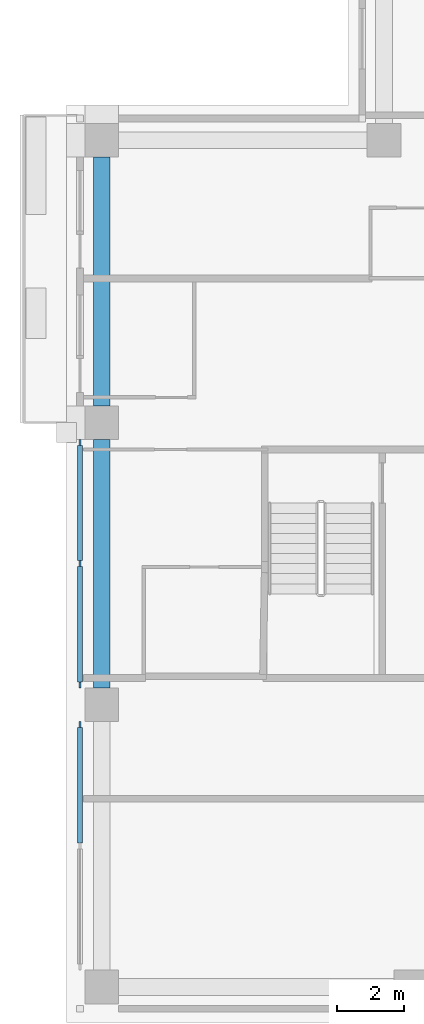
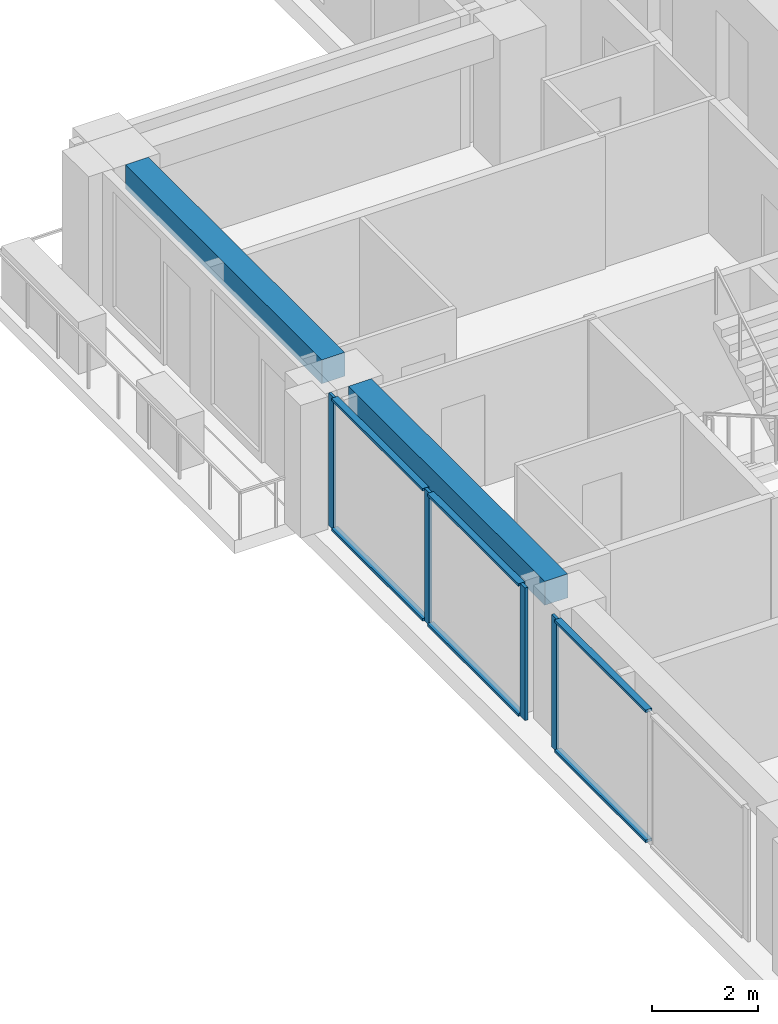
# One storey, part 4 of 16: 10 members, 2 beams, 2 elements without a shape of their own.
"""IFC4 building model written with IfcOpenShell, lengths in metres."""

from ifc_helpers import new_model, si_unit, direction, frame, origin, origin_2d, place, context, subcontext, project, spatial, rectangle, extrude, material, material_profile, profile_set, type_object, element, aggregate, save


model = new_model("IFC4")

# Units and contexts
model_context = context("Model", 3, precision=1e-05, world=origin(), true_north=direction((0.0, 1.0)))
body_context = subcontext(model_context, "Body", "Model", "MODEL_VIEW")
ifc_project = project(units=[si_unit("LENGTHUNIT", "METRE"), si_unit("AREAUNIT", "SQUARE_METRE"), si_unit("VOLUMEUNIT", "CUBIC_METRE"), si_unit("PLANEANGLEUNIT", "RADIAN"), si_unit("MASSUNIT", "GRAM", prefix="KILO")], contexts=[model_context])

# Site, building, storey
site_placement = place(None, origin())
site = spatial("IfcSite", under=ifc_project, at=site_placement, CompositionType="ELEMENT")
building_placement = place(site_placement, origin())
building = spatial("IfcBuilding", under=site, at=building_placement, Name="Vermilion Ogive Tower", CompositionType="ELEMENT")
storey_placement = place(building_placement, frame((0.0, 0.0, 182.449951171875)))
storey = spatial("IfcBuildingStorey", under=building, at=storey_placement, Name="L47", CompositionType="ELEMENT", Elevation=182.449951171875)

# Curtain wall, members
ifc_material_1 = material(Name="Low-iron laminated glazing in aluminium frame", Category="aluminium")
curtain_wall_type = type_object("IfcCurtainWallType", Name="Curtain wall CW7", PredefinedType="NOTDEFINED", material=ifc_material_1)
curtain_wall_1_placement = place(storey_placement, origin())
curtain_wall_1 = element("IfcCurtainWall", 1, at=curtain_wall_1_placement, inside=storey, type_object=curtain_wall_type, Name="Glazed skin W2", PredefinedType="NOTDEFINED")
ifc_material_2 = material(Name="Aluminium mullion", Category="aluminium")
ifc_material_profile_1 = material_profile(ifc_material_2, rectangle(XDim=0.06005859375, YDim=0.179931640625, at=origin_2d()), Name="AL 60x180")
ifc_profile_set_1 = profile_set([ifc_material_profile_1], Name="Aluminium mullion")
member_type_1 = type_object("IfcMemberType", Name="CW7 mullion 60x180", PredefinedType="MULLION", material=ifc_profile_set_1)
member_1_placement = place(storey_placement, frame((-25.85009765625, 3.610107421875, 0.0), z_axis=(0.0, 0.0, 1.0), x_axis=(1.0, 0.0, 0.0)))
member_1 = element("IfcMember", 2, at=member_1_placement, type_object=member_type_1, Name="CW7-W2 mullion 1", PredefinedType="MULLION", context=body_context, shape_type="SweptSolid", body=[
    extrude(rectangle(XDim=0.06005859375, YDim=0.179931640625, at=origin_2d()), origin(), (0.0, 0.0, 1.0), 3.050048828125),
])
member_2_placement = place(storey_placement, frame((-25.85009765625, 0.0, 0.0), z_axis=(0.0, 0.0, 1.0), x_axis=(1.0, 0.0, 0.0)))
member_2 = element("IfcMember", 3, at=member_2_placement, type_object=member_type_1, Name="CW7-W2 mullion 2", PredefinedType="MULLION", context=body_context, shape_type="SweptSolid", body=[
    extrude(rectangle(XDim=0.06005859375, YDim=0.179931640625, at=origin_2d()), origin(), (0.0, 0.0, 1.0), 3.050048828125),
])
member_3_placement = place(storey_placement, frame((-25.85009765625, -3.610107421875, 0.0), z_axis=(0.0, 0.0, 1.0), x_axis=(1.0, 0.0, 0.0)))
member_3 = element("IfcMember", 4, at=member_3_placement, type_object=member_type_1, Name="CW7-W2 mullion 3", PredefinedType="MULLION", context=body_context, shape_type="SweptSolid", body=[
    extrude(rectangle(XDim=0.06005859375, YDim=0.179931640625, at=origin_2d()), origin(), (0.0, 0.0, 1.0), 3.050048828125),
])

# Curtain wall, member
curtain_wall_2_placement = place(storey_placement, origin())
curtain_wall_2 = element("IfcCurtainWall", 5, at=curtain_wall_2_placement, inside=storey, type_object=curtain_wall_type, Name="Glazed skin W3", PredefinedType="NOTDEFINED")
member_4_placement = place(storey_placement, frame((-25.85009765625, -4.7900390625, 0.0), z_axis=(0.0, 0.0, 1.0), x_axis=(1.0, 0.0, 0.0)))
member_4 = element("IfcMember", 6, at=member_4_placement, type_object=member_type_1, Name="CW7-W3 mullion 1", PredefinedType="MULLION", context=body_context, shape_type="SweptSolid", body=[
    extrude(rectangle(XDim=0.06005859375, YDim=0.179931640625, at=origin_2d()), origin(), (0.0, 0.0, 1.0), 3.050048828125),
])

# Member
ifc_material_3 = material(Name="Aluminium transom", Category="aluminium")
ifc_material_profile_2 = material_profile(ifc_material_3, rectangle(XDim=0.139892578125, YDim=0.06005859375, at=origin_2d()), Name="AL 60x140")
ifc_profile_set_2 = profile_set([ifc_material_profile_2], Name="Aluminium transom")
member_type_2 = type_object("IfcMemberType", Name="CW7 transom 60x140", PredefinedType="USERDEFINED", material=ifc_profile_set_2)
member_5_placement = place(storey_placement, frame((-25.85009765625, 3.52001953125, 0.030029296875), z_axis=(0.0, -1.0, 0.0), x_axis=(1.0, 0.0, 0.0)))
member_5 = element("IfcMember", 7, at=member_5_placement, type_object=member_type_2, Name="CW7-W2 transom 1.1", ObjectType="TRANSOM", PredefinedType="USERDEFINED", context=body_context, shape_type="SweptSolid", body=[
    extrude(rectangle(XDim=0.139892578125, YDim=0.06005859375, at=origin_2d()), origin(), (0.0, 0.0, 1.0), 3.429931640625),
])

member_6_placement = place(storey_placement, frame((-25.85009765625, 3.52001953125, 3.02001953125), z_axis=(0.0, -1.0, 0.0), x_axis=(1.0, 0.0, 0.0)))
member_6 = element("IfcMember", 8, at=member_6_placement, type_object=member_type_2, Name="CW7-W2 transom 1.2", ObjectType="TRANSOM", PredefinedType="USERDEFINED", context=body_context, shape_type="SweptSolid", body=[
    extrude(rectangle(XDim=0.139892578125, YDim=0.06005859375, at=origin_2d()), origin(), (0.0, 0.0, 1.0), 3.429931640625),
])

member_7_placement = place(storey_placement, frame((-25.85009765625, -0.090087890625, 0.030029296875), z_axis=(0.0, -1.0, 0.0), x_axis=(1.0, 0.0, 0.0)))
member_7 = element("IfcMember", 9, at=member_7_placement, type_object=member_type_2, Name="CW7-W2 transom 2.1", ObjectType="TRANSOM", PredefinedType="USERDEFINED", context=body_context, shape_type="SweptSolid", body=[
    extrude(rectangle(XDim=0.139892578125, YDim=0.06005859375, at=origin_2d()), origin(), (0.0, 0.0, 1.0), 3.429931640625),
])

member_8_placement = place(storey_placement, frame((-25.85009765625, -0.090087890625, 3.02001953125), z_axis=(0.0, -1.0, 0.0), x_axis=(1.0, 0.0, 0.0)))
member_8 = element("IfcMember", 10, at=member_8_placement, type_object=member_type_2, Name="CW7-W2 transom 2.2", ObjectType="TRANSOM", PredefinedType="USERDEFINED", context=body_context, shape_type="SweptSolid", body=[
    extrude(rectangle(XDim=0.139892578125, YDim=0.06005859375, at=origin_2d()), origin(), (0.0, 0.0, 1.0), 3.429931640625),
])

aggregate(curtain_wall_1, [member_1, member_2, member_3, member_5, member_6, member_7, member_8])

member_9_placement = place(storey_placement, frame((-25.85009765625, -4.8798828125, 0.030029296875), z_axis=(0.0, -1.0, 0.0), x_axis=(1.0, 0.0, 0.0)))
member_9 = element("IfcMember", 11, at=member_9_placement, type_object=member_type_2, Name="CW7-W3 transom 1.1", ObjectType="TRANSOM", PredefinedType="USERDEFINED", context=body_context, shape_type="SweptSolid", body=[
    extrude(rectangle(XDim=0.139892578125, YDim=0.06005859375, at=origin_2d()), origin(), (0.0, 0.0, 1.0), 3.43017578125),
])

member_10_placement = place(storey_placement, frame((-25.85009765625, -4.8798828125, 3.02001953125), z_axis=(0.0, -1.0, 0.0), x_axis=(1.0, 0.0, 0.0)))
member_10 = element("IfcMember", 12, at=member_10_placement, type_object=member_type_2, Name="CW7-W3 transom 1.2", ObjectType="TRANSOM", PredefinedType="USERDEFINED", context=body_context, shape_type="SweptSolid", body=[
    extrude(rectangle(XDim=0.139892578125, YDim=0.06005859375, at=origin_2d()), origin(), (0.0, 0.0, 1.0), 3.43017578125),
])

aggregate(curtain_wall_2, [member_4, member_9, member_10])

# Beams
ifc_material_4 = material(Name="Concrete B45", Category="concrete")
ifc_material_profile_3 = material_profile(ifc_material_4, rectangle(XDim=0.5, YDim=0.550048828125, at=origin_2d()), Name="500 x 550")
ifc_profile_set_3 = profile_set([ifc_material_profile_3], Name="Concrete B45")
beam_type = type_object("IfcBeamType", Name="Edge beam 500 x 550 B45", PredefinedType="BEAM", material=ifc_profile_set_3)
beam_1_placement = place(storey_placement, frame((-25.199951171875, 12.10009765625, 2.775146484375), z_axis=(0.0, -1.0, 0.0), x_axis=(1.0, 0.0, 0.0)))
element("IfcBeam", 13, at=beam_1_placement, inside=storey, type_object=beam_type, Name="L47-EB-14", PredefinedType="BEAM", context=body_context, shape_type="SweptSolid", body=[
    extrude(rectangle(XDim=0.5, YDim=0.550048828125, at=origin_2d()), origin(), (0.0, 0.0, 1.0), 7.400146484375),
])
beam_2_placement = place(storey_placement, frame((-25.199951171875, 3.699951171875, 2.775146484375), z_axis=(0.0, -1.0, 0.0), x_axis=(1.0, 0.0, 0.0)))
element("IfcBeam", 14, at=beam_2_placement, inside=storey, type_object=beam_type, Name="L47-EB-15", PredefinedType="BEAM", context=body_context, shape_type="SweptSolid", body=[
    extrude(rectangle(XDim=0.5, YDim=0.550048828125, at=origin_2d()), origin(), (0.0, 0.0, 1.0), 7.39990234375),
])

save(model, "model.ifc")
